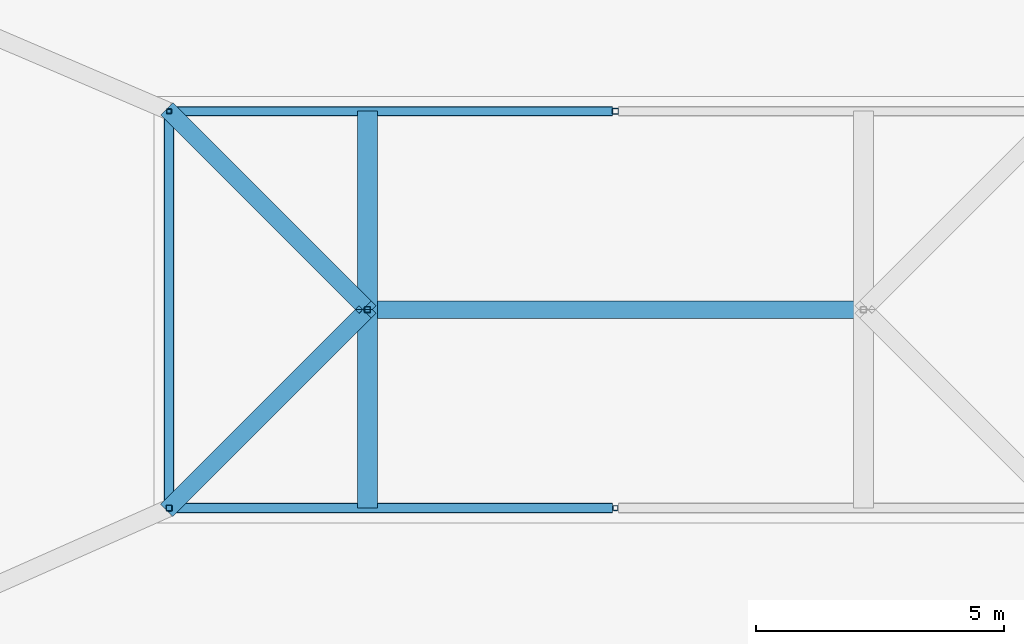
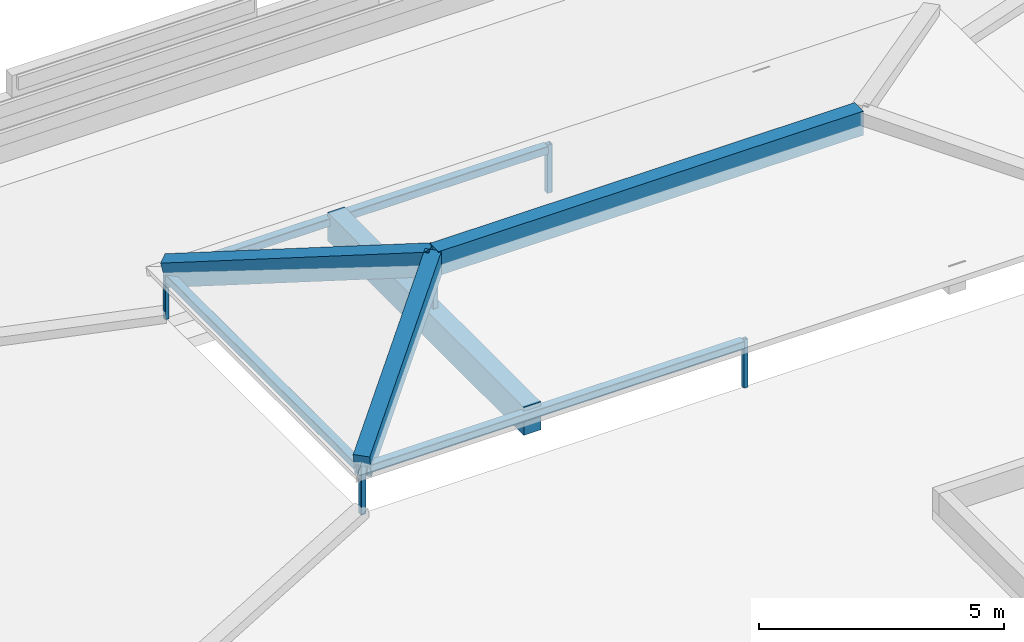
# One storey, part 12 of 56: 8 members, 4 beams.
"""IFC4 building model written with IfcOpenShell, lengths in metres."""

import ifcopenshell
import ifcopenshell.guid

model = None  # the IFC model being written
_history = None  # IfcOwnerHistory: only IFC2X3 demands one
_inside = {}  # id of a spatial element -> (the spatial element, [elements in it])
_under = {}  # id of a project, library or spatial element -> (it, [spatial elements below it])
_declared = {}  # id of a project -> (the project, [libraries it declares])
_typed = {}  # id of a type object -> (the type object, [elements of that type])
_made_of = {}  # id of a material, layer set ... -> (it, [elements and type objects made of it])


def new_model(schema):
    """Start an empty IFC model of exactly this schema.

    Asked for "IFC4X3", IfcOpenShell would pick the latest addendum, in which some entities
    have other attributes; the version numbers below select the first issue.
    IFC2X3 requires an IfcOwnerHistory on every rooted entity: one is made here for all.
    """
    global model, _history
    if schema == "IFC4X3":
        model = ifcopenshell.file(schema_version=(4, 3, 0, 0))
    else:
        model = ifcopenshell.file(schema=schema)
    _inside.clear()
    _under.clear()
    _declared.clear()
    _typed.clear()
    _made_of.clear()
    _history = None
    if model.schema == "IFC2X3":
        org = make("IfcOrganization", Name="unknown")
        user = make(
            "IfcPersonAndOrganization",
            ThePerson=make("IfcPerson", FamilyName="unknown"),
            TheOrganization=org,
        )
        app = make(
            "IfcApplication",
            ApplicationDeveloper=org,
            Version="unknown",
            ApplicationFullName="unknown",
            ApplicationIdentifier="unknown",
        )
        _history = make(
            "IfcOwnerHistory",
            OwningUser=user,
            OwningApplication=app,
            ChangeAction="ADDED",
            CreationDate=0,
        )
    return model


def make(cls, **values):
    """One entity of the class cls with the attributes given. An attribute that is None is left unset."""
    return model.create_entity(
        cls, **{name: value for name, value in values.items() if value is not None}
    )


def rooted(cls, **values):
    """An entity with a GlobalId (a new one), such as an element, a storey or a relation."""
    return make(cls, GlobalId=ifcopenshell.guid.new(), OwnerHistory=_history, **values)


def si_unit(unit_type, name, prefix=None):
    """IfcSIUnit, for example si_unit("LENGTHUNIT", "METRE", prefix="MILLI")."""
    return make("IfcSIUnit", UnitType=unit_type, Prefix=prefix, Name=name)


def assignment(units):
    """IfcUnitAssignment: the units of a project."""
    return None if units is None else make("IfcUnitAssignment", Units=units)


def point(xyz):
    """IfcCartesianPoint."""
    return None if xyz is None else make("IfcCartesianPoint", Coordinates=xyz)


def direction(xyz):
    """IfcDirection."""
    return None if xyz is None else make("IfcDirection", DirectionRatios=xyz)


def frame(location, z_axis=None, x_axis=None):
    """IfcAxis2Placement3D, a coordinate frame: its origin and axes. An axis left out is left unset."""
    return make(
        "IfcAxis2Placement3D",
        Location=point(location),
        Axis=direction(z_axis),
        RefDirection=direction(x_axis),
    )


def frame_2d(location, x_axis=None):
    """IfcAxis2Placement2D, a coordinate frame in the plane: its origin and x axis."""
    return make(
        "IfcAxis2Placement2D", Location=point(location), RefDirection=direction(x_axis)
    )


def origin():
    """The frame at (0, 0, 0) with its axes left unset."""
    return frame((0.0, 0.0, 0.0))


def origin_2d():
    """The frame at (0, 0) in the plane with its x axis left unset."""
    return frame_2d((0.0, 0.0))


def place(relative_to, where):
    """IfcLocalPlacement: puts the frame where relative to a parent placement (None: the world)."""
    return make(
        "IfcLocalPlacement", PlacementRelTo=relative_to, RelativePlacement=where
    )


def context(
    kind, dimensions, precision=None, world=None, true_north=None, identifier=None
):
    """IfcGeometricRepresentationContext, for example the 3D "Model" context."""
    return make(
        "IfcGeometricRepresentationContext",
        ContextIdentifier=identifier,
        ContextType=kind,
        CoordinateSpaceDimension=dimensions,
        Precision=precision,
        WorldCoordinateSystem=world,
        TrueNorth=true_north,
    )


def subcontext(parent, identifier, kind, view, scale=None):
    """IfcGeometricRepresentationSubContext, for example "Body" below "Model"."""
    return make(
        "IfcGeometricRepresentationSubContext",
        ContextIdentifier=identifier,
        ContextType=kind,
        ParentContext=parent,
        TargetScale=scale,
        TargetView=view,
    )


def project(units=None, contexts=None):
    """IfcProject with its units and contexts."""
    return rooted(
        "IfcProject",
        Name="project",
        RepresentationContexts=contexts,
        UnitsInContext=assignment(units),
    )


def spatial(cls, under=None, at=None, **own):
    """A site, building, storey or space (cls), placed at a placement, below another one or the project."""
    s = rooted(cls, ObjectPlacement=at, **own)
    if under is not None:
        _under.setdefault(under.id(), (under, []))[1].append(s)
    return s


def profile(cls, at=None, kind="AREA", **sizes):
    """A parametric profile (cls). Its sizes go by their IFC names, for example OverallWidth=200.0."""
    return make(cls, ProfileType=kind, Position=at, **sizes)


def rectangle(**sizes):
    """IfcRectangleProfileDef."""
    return profile("IfcRectangleProfileDef", **sizes)


def hollow_rectangle(**sizes):
    """IfcRectangleHollowProfileDef."""
    return profile("IfcRectangleHollowProfileDef", **sizes)


def extrude(swept, where, along, depth):
    """IfcExtrudedAreaSolid: the profile swept, set in the frame where, extruded along a direction by depth."""
    return make(
        "IfcExtrudedAreaSolid",
        SweptArea=swept,
        Position=where,
        ExtrudedDirection=direction(along),
        Depth=depth,
    )


def shape(context_of_items, identifier, shape_type, items):
    """IfcShapeRepresentation: the items that make up one representation, for example the "Body"."""
    return make(
        "IfcShapeRepresentation",
        ContextOfItems=context_of_items,
        RepresentationIdentifier=identifier,
        RepresentationType=shape_type,
        Items=items,
    )


def material(Name=None, Category=None):
    """IfcMaterial."""
    return make("IfcMaterial", Name=Name, Category=Category)


def material_profile(
    of_material, cross_section, Name=None, Category=None, Priority=None
):
    """IfcMaterialProfile: a cross section and its material."""
    return make(
        "IfcMaterialProfile",
        Name=Name,
        Material=of_material,
        Profile=cross_section,
        Priority=Priority,
        Category=Category,
    )


def profile_set(profiles, Name=None, composite=None):
    """IfcMaterialProfileSet."""
    return make(
        "IfcMaterialProfileSet",
        Name=Name,
        MaterialProfiles=profiles,
        CompositeProfile=composite,
    )


def made_of(thing, what):
    """Note that an element or type object is made of a material, layer set ...; save() writes the relation."""
    if what is not None:
        _made_of.setdefault(what.id(), (what, []))[1].append(thing)
    return thing


def type_object(cls, material=None, **own):
    """A type object (cls), such as IfcWallType, which elements share."""
    return made_of(rooted(cls, **own), material)


def element(
    cls,
    number,
    at=None,
    inside=None,
    cuts=None,
    type_object=None,
    material=None,
    context=None,
    identifier="Body",
    shape_type=None,
    held_by="IfcProductDefinitionShape",
    body=None,
    shapes=None,
    **own,
):
    """One element of the class cls, such as IfcWall. Its Tag is "e" and its number.

    at: its placement. inside: the storey or other place that contains it. cuts: it is an
    opening in that element (IfcRelVoidsElement). A single representation is given by context,
    identifier, shape_type and body (its items); several are given by shapes. held_by: the class
    of the entity that holds the representations. save() writes the other relations.
    """
    e = rooted(cls, Tag="e%d" % number, ObjectPlacement=at, **own)
    if body is not None:
        shapes = [shape(context, identifier, shape_type, body)]
    if shapes is not None:
        e.Representation = make(held_by, Representations=shapes)
    if inside is not None:
        _inside.setdefault(inside.id(), (inside, []))[1].append(e)
    if cuts is not None:
        rooted(
            "IfcRelVoidsElement", RelatingBuildingElement=cuts, RelatedOpeningElement=e
        )
    if type_object is not None:
        _typed.setdefault(type_object.id(), (type_object, []))[1].append(e)
    return made_of(e, material)


def aggregate(whole, parts):
    """IfcRelAggregates: a whole, such as a stair, and the parts it consists of."""
    return rooted("IfcRelAggregates", RelatingObject=whole, RelatedObjects=parts)


def save(model, path):
    """Write the relations noted so far, then the file.

    IfcRelAggregates (storeys below a building ...), IfcRelContainedInSpatialStructure (elements
    in a storey), IfcRelDefinesByType, IfcRelAssociatesMaterial and IfcRelDeclares: one each for
    every whole, place, type object, material and project.
    """
    for whole, parts in _under.values():
        aggregate(whole, parts)
    for where, things in _inside.values():
        rooted(
            "IfcRelContainedInSpatialStructure",
            RelatedElements=things,
            RelatingStructure=where,
        )
    for kind, things in _typed.values():
        rooted("IfcRelDefinesByType", RelatedObjects=things, RelatingType=kind)
    for what, things in _made_of.values():
        rooted("IfcRelAssociatesMaterial", RelatedObjects=things, RelatingMaterial=what)
    for by, libraries in _declared.values():
        rooted("IfcRelDeclares", RelatingContext=by, RelatedDefinitions=libraries)
    model.write(path)


model = new_model("IFC4")

# Units and contexts
model_context = context("Model", 3, precision=1e-05, world=origin(), true_north=direction((0.0, 1.0)))
body_context = subcontext(model_context, "Body", "Model", "MODEL_VIEW")
ifc_project = project(units=[si_unit("LENGTHUNIT", "METRE"), si_unit("AREAUNIT", "SQUARE_METRE"), si_unit("VOLUMEUNIT", "CUBIC_METRE"), si_unit("PLANEANGLEUNIT", "RADIAN"), si_unit("MASSUNIT", "GRAM", prefix="KILO")], contexts=[model_context])

# Site, building, storey
site_placement = place(None, origin())
site = spatial("IfcSite", under=ifc_project, at=site_placement, CompositionType="ELEMENT")
building_placement = place(site_placement, origin())
building = spatial("IfcBuilding", under=site, at=building_placement, Name="Zacnel Wholesale Market", CompositionType="ELEMENT")
storey_placement = place(building_placement, frame((0.0, 0.0, 20.300048828125)))
storey = spatial("IfcBuildingStorey", under=building, at=storey_placement, Name="RF", CompositionType="ELEMENT", Elevation=20.300048828125)

# Beams
ifc_material_1 = material(Name="Concrete C40/50", Category="concrete")
ifc_material_profile_1 = material_profile(ifc_material_1, rectangle(XDim=0.35009765625, YDim=0.60009765625, at=origin_2d()), Name="ARCH RIB 350x600")
ifc_profile_set_1 = profile_set([ifc_material_profile_1], Name="Concrete C40/50")
beam_type_1 = type_object("IfcBeamType", Name="BM-AR600", PredefinedType="USERDEFINED", material=ifc_profile_set_1)
for number, where, z_axis, x_axis, name in (
    (1, (99.0, 32.0, -3.8701171875), (0.689141918443, 0.689141918443, 0.223979535871), (-0.707106781187, 0.707106781187, 0.0), "Hipped crown rib STR-ROOF-V2-LANT-1"),
    (2, (99.0, 40.0, -3.8701171875), (0.689141918443, -0.689141918443, 0.223979535871), (0.707106781187, 0.707106781187, 0.0), "Hipped crown rib STR-ROOF-V2-LANT-4"),
):
    element("IfcBeam", number, at=place(storey_placement, frame(where, z_axis=z_axis, x_axis=x_axis)), inside=storey, type_object=beam_type_1, Name=name, ObjectType="ARCH RIB", PredefinedType="USERDEFINED", context=body_context, shape_type="SweptSolid", body=[
        extrude(rectangle(XDim=0.35009765625, YDim=0.60009765625, at=origin_2d()), origin(), (0.0, 0.0, 1.0), 5.80419921875),
    ])
beam_1_placement = place(storey_placement, frame((103.0, 36.0, -2.570068359375), z_axis=(1.0, 0.0, 0.0), x_axis=(0.0, 1.0, 0.0)))
element("IfcBeam", 3, at=beam_1_placement, inside=storey, type_object=beam_type_1, Name="Hipped crown ridge STR-ROOF-V2-LANT", ObjectType="ARCH RIB", PredefinedType="USERDEFINED", context=body_context, shape_type="SweptSolid", body=[
    extrude(rectangle(XDim=0.35009765625, YDim=0.60009765625, at=origin_2d()), origin(), (0.0, 0.0, 1.0), 10.0),
])
ifc_material_2 = material(Name="Precast concrete C45/55", Category="concrete")
ifc_material_profile_2 = material_profile(ifc_material_2, rectangle(XDim=0.39990234375, YDim=0.699951171875, at=origin_2d()), Name="PG 400x700")
ifc_profile_set_2 = profile_set([ifc_material_profile_2], Name="Precast concrete C45/55")
beam_type_2 = type_object("IfcBeamType", Name="BM-PG700", PredefinedType="BEAM", material=ifc_profile_set_2)
beam_2_placement = place(storey_placement, frame((103.0, 32.0, -4.10009765625), z_axis=(0.0, 1.0, 0.0), x_axis=(-1.0, 0.0, 0.0)))
element("IfcBeam", 4, at=beam_2_placement, inside=storey, type_object=beam_type_2, Name="Hipped crown tie beam STR-ROOF-V2-LANT-1", PredefinedType="BEAM", context=body_context, shape_type="SweptSolid", body=[
    extrude(rectangle(XDim=0.39990234375, YDim=0.699951171875, at=origin_2d()), origin(), (0.0, 0.0, 1.0), 8.0),
])

# Members
ifc_material_3 = material(Name="Steel S355", Category="steel")
ifc_material_profile_3 = material_profile(ifc_material_3, hollow_rectangle(XDim=0.199951171875, YDim=0.199951171875, WallThickness=0.010009765625, InnerFilletRadius=0.010009765625, OuterFilletRadius=0.02001953125, at=origin_2d()), Name="HSS 200x200x10")
ifc_profile_set_3 = profile_set([ifc_material_profile_3], Name="Steel S355")
member_type_1 = type_object("IfcMemberType", Name="MEM-CHD-HSS200", PredefinedType="CHORD", material=ifc_profile_set_3)
for number, where, z_axis, x_axis, name in (
    (5, (99.06005859375, 32.0, -3.949951171875), (1.0, 0.0, 0.0), (0.0, 1.0, 0.0), "Auction lantern ring chord 01"),
    (6, (99.06005859375, 40.0, -3.949951171875), (1.0, 0.0, 0.0), (0.0, 1.0, 0.0), "Auction lantern ring chord 03"),
):
    element("IfcMember", number, at=place(storey_placement, frame(where, z_axis=z_axis, x_axis=x_axis)), inside=storey, type_object=member_type_1, Name=name, PredefinedType="CHORD", context=body_context, shape_type="SweptSolid", body=[
        extrude(hollow_rectangle(XDim=0.199951171875, YDim=0.199951171875, WallThickness=0.010009765625, InnerFilletRadius=0.010009765625, OuterFilletRadius=0.02001953125, at=origin_2d()), origin(), (0.0, 0.0, 1.0), 8.8798828125),
    ])
member_1_placement = place(storey_placement, frame((99.0, 32.06005859375, -3.949951171875), z_axis=(0.0, 1.0, 0.0), x_axis=(-1.0, 0.0, 0.0)))
element("IfcMember", 7, at=member_1_placement, inside=storey, type_object=member_type_1, Name="Auction lantern ring chord 05", PredefinedType="CHORD", context=body_context, shape_type="SweptSolid", body=[
    extrude(hollow_rectangle(XDim=0.199951171875, YDim=0.199951171875, WallThickness=0.010009765625, InnerFilletRadius=0.010009765625, OuterFilletRadius=0.02001953125, at=origin_2d()), origin(), (0.0, 0.0, 1.0), 7.8798828125),
])
ifc_material_4 = material(Name="Steel S355", Category="steel")
ifc_material_profile_4 = material_profile(ifc_material_4, hollow_rectangle(XDim=0.10009765625, YDim=0.10009765625, WallThickness=0.00634765625, InnerFilletRadius=0.006103515625, OuterFilletRadius=0.011962890625, at=origin_2d()), Name="HSS 100x100x6.3")
ifc_profile_set_4 = profile_set([ifc_material_profile_4], Name="Steel S355")
member_type_2 = type_object("IfcMemberType", Name="MEM-PST-HSS100", PredefinedType="POST", material=ifc_profile_set_4)
for number, where, z_axis, x_axis, name in (
    (8, (108.0, 32.0, -5.050048828125), (0.0, 0.0, 1.0), (1.0, 0.0, 0.0), "Auction lantern post 02"),
    (9, (99.0, 40.0, -5.050048828125), (0.0, 0.0, 1.0), (1.0, 0.0, 0.0), "Auction lantern post 04"),
):
    element("IfcMember", number, at=place(storey_placement, frame(where, z_axis=z_axis, x_axis=x_axis)), inside=storey, type_object=member_type_2, Name=name, PredefinedType="POST", context=body_context, shape_type="SweptSolid", body=[
        extrude(hollow_rectangle(XDim=0.10009765625, YDim=0.10009765625, WallThickness=0.00634765625, InnerFilletRadius=0.006103515625, OuterFilletRadius=0.011962890625, at=origin_2d()), origin(), (0.0, 0.0, 1.0), 1.199951171875),
    ])
ifc_material_5 = material(Name="Steel S355", Category="steel")
ifc_material_profile_5 = material_profile(ifc_material_5, hollow_rectangle(XDim=0.1201171875, YDim=0.1201171875, WallThickness=0.00634765625, InnerFilletRadius=0.006103515625, OuterFilletRadius=0.011962890625, at=origin_2d()), Name="HSS 120x120x6.3")
ifc_profile_set_5 = profile_set([ifc_material_profile_5], Name="Steel S355")
member_type_3 = type_object("IfcMemberType", Name="MEM-PST-HSS120", PredefinedType="POST", material=ifc_profile_set_5)
for number, where, z_axis, x_axis, name in (
    (10, (99.0, 32.0, -5.050048828125), (0.0, 0.0, 1.0), (1.0, 0.0, 0.0), "Auction lantern post 01"),
    (11, (108.0, 40.0, -5.050048828125), (0.0, 0.0, 1.0), (1.0, 0.0, 0.0), "Auction lantern post 05"),
):
    element("IfcMember", number, at=place(storey_placement, frame(where, z_axis=z_axis, x_axis=x_axis)), inside=storey, type_object=member_type_3, Name=name, PredefinedType="POST", context=body_context, shape_type="SweptSolid", body=[
        extrude(hollow_rectangle(XDim=0.1201171875, YDim=0.1201171875, WallThickness=0.00634765625, InnerFilletRadius=0.006103515625, OuterFilletRadius=0.011962890625, at=origin_2d()), origin(), (0.0, 0.0, 1.0), 1.199951171875),
    ])
member_2_placement = place(storey_placement, frame((103.0, 36.0, -4.199951171875), z_axis=(0.0, 0.0, 1.0), x_axis=(1.0, 0.0, 0.0)))
element("IfcMember", 12, at=member_2_placement, inside=storey, type_object=member_type_3, Name="Hipped crown king-post STR-ROOF-V2-LANT-1", PredefinedType="POST", context=body_context, shape_type="SweptSolid", body=[
    extrude(hollow_rectangle(XDim=0.1201171875, YDim=0.1201171875, WallThickness=0.00634765625, InnerFilletRadius=0.006103515625, OuterFilletRadius=0.011962890625, at=origin_2d()), origin(), (0.0, 0.0, 1.0), 1.64990234375),
])

save(model, "model.ifc")
